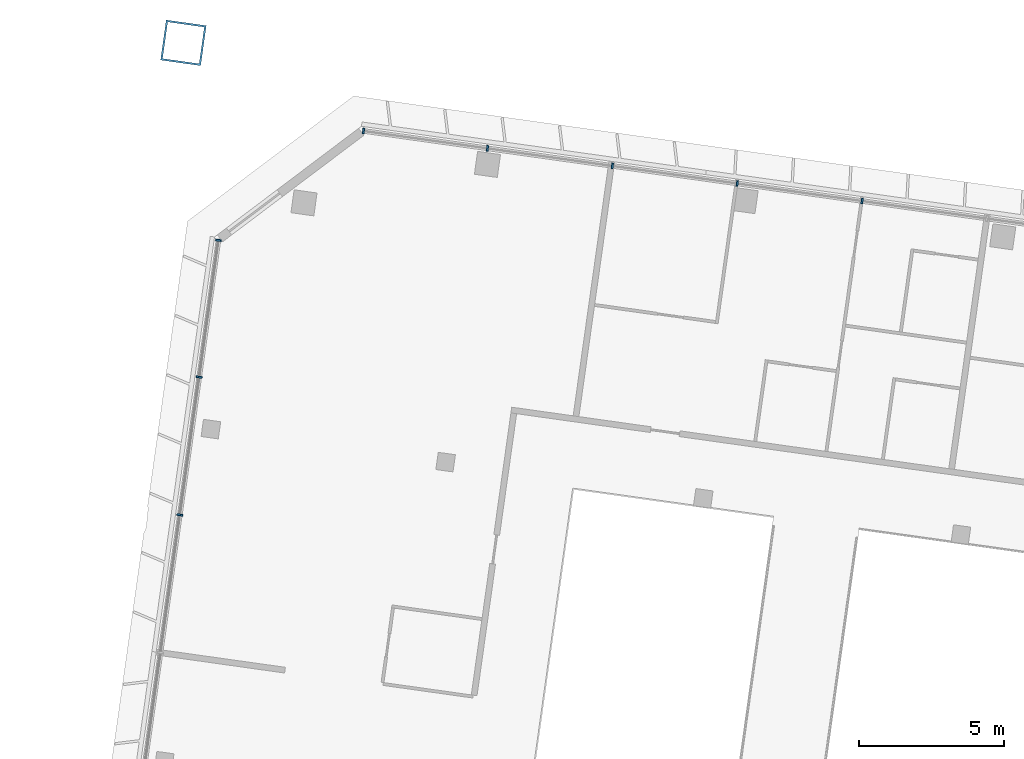
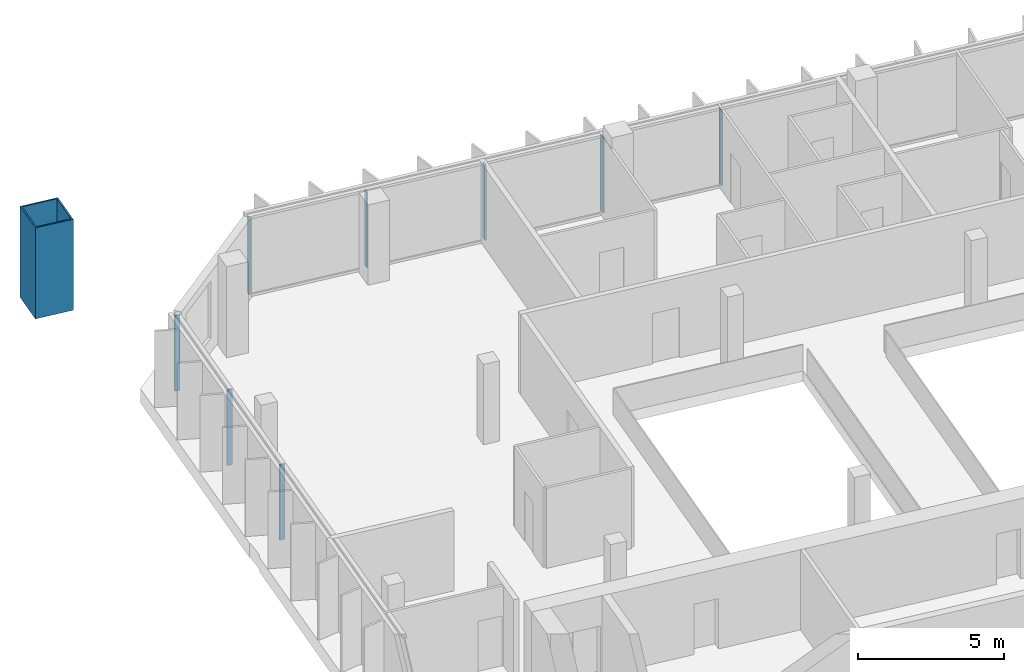
# One storey, part 4 of 26: 9 members, 2 elements without a shape of their own.
"""IFC4 building model written with IfcOpenShell, lengths in metres."""

from ifc_helpers import new_model, si_unit, direction, frame, origin, origin_2d, place, context, subcontext, project, spatial, rectangle, hollow_rectangle, extrude, material, material_profile, profile_set, type_object, element, aggregate, save


model = new_model("IFC4")

# Units and contexts
model_context = context("Model", 3, precision=1e-05, world=origin(), true_north=direction((0.0, 1.0)))
body_context = subcontext(model_context, "Body", "Model", "MODEL_VIEW")
ifc_project = project(units=[si_unit("LENGTHUNIT", "METRE"), si_unit("AREAUNIT", "SQUARE_METRE"), si_unit("VOLUMEUNIT", "CUBIC_METRE"), si_unit("PLANEANGLEUNIT", "RADIAN"), si_unit("MASSUNIT", "GRAM", prefix="KILO")], contexts=[model_context])

# Site, building, storey
site_placement = place(None, origin())
site = spatial("IfcSite", under=ifc_project, at=site_placement, CompositionType="ELEMENT")
building_placement = place(site_placement, origin())
building = spatial("IfcBuilding", under=site, at=building_placement, Name="Mirante Cascada Hotel Towers", CompositionType="ELEMENT")
storey_placement = place(building_placement, frame((0.0, 0.0, 203.0)))
storey = spatial("IfcBuildingStorey", under=building, at=storey_placement, Name="L48", CompositionType="ELEMENT", Elevation=203.0)

# Member
ifc_material_1 = material(Name="Steel ASTM A572 Gr 50", Category="steel")
ifc_material_profile_1 = material_profile(ifc_material_1, hollow_rectangle(XDim=1.4, YDim=1.4, WallThickness=0.06, at=origin_2d()), Name="Box post 1400x1400x60 ASTM A572 Gr 50")
ifc_profile_set_1 = profile_set([ifc_material_profile_1], Name="Steel ASTM A572 Gr 50")
member_type_1 = type_object("IfcMemberType", Name="Box post 1400x1400x60 ASTM A572 Gr 50", PredefinedType="POST", material=ifc_profile_set_1)
member_1_placement = place(storey_placement, frame((-82.5324, 26.5893, 0.0), z_axis=(0.0, 0.0, 1.0), x_axis=(-0.9902681, 0.1391731, 0.0)))
element("IfcMember", 1, at=member_1_placement, inside=storey, type_object=member_type_1, Name="Mega column MP3 T1 L48", PredefinedType="POST", context=body_context, shape_type="SweptSolid", body=[
    extrude(hollow_rectangle(XDim=1.4, YDim=1.4, WallThickness=0.06, at=origin_2d()), origin(), (0.0, 0.0, 1.0), 3.8),
])

# Curtain wall, members
ifc_material_2 = material(Name="Aluminium mullion and transom frame with clear laminated glass", Category="aluminium")
curtain_wall_type_1 = type_object("IfcCurtainWallType", Name="Ribbon curtain wall ECW1", PredefinedType="NOTDEFINED", material=ifc_material_2)
curtain_wall_1_placement = place(storey_placement, origin())
curtain_wall_1 = element("IfcCurtainWall", 2, at=curtain_wall_1_placement, inside=storey, type_object=curtain_wall_type_1, Name="Front ribbon wall T1 L48", PredefinedType="NOTDEFINED")
ifc_material_3 = material(Name="Anodised aluminium extrusion", Category="aluminium")
ifc_material_profile_2 = material_profile(ifc_material_3, rectangle(XDim=0.2, YDim=0.065, at=origin_2d()), Name="ECW1 MULLION 65x200")
ifc_profile_set_2 = profile_set([ifc_material_profile_2], Name="Anodised aluminium extrusion")
member_type_2 = type_object("IfcMemberType", Name="ECW1 mullion 65x200", PredefinedType="MULLION", material=ifc_profile_set_2)
member_2_placement = place(storey_placement, frame((-76.3011, 23.5425, 0.1), z_axis=(0.0, 0.0, 1.0), x_axis=(0.1391731, 0.9902681, 0.0)))
member_2 = element("IfcMember", 3, at=member_2_placement, type_object=member_type_2, Name="ECW1 mullion 1", PredefinedType="MULLION", context=body_context, shape_type="SweptSolid", body=[
    extrude(rectangle(XDim=0.2, YDim=0.065, at=origin_2d()), origin(), (0.0, 0.0, 1.0), 3.15),
])
member_3_placement = place(storey_placement, frame((-72.014, 22.9399, 0.1), z_axis=(0.0, 0.0, 1.0), x_axis=(0.1391731, 0.9902681, 0.0)))
member_3 = element("IfcMember", 4, at=member_3_placement, type_object=member_type_2, Name="ECW1 mullion 2", PredefinedType="MULLION", context=body_context, shape_type="SweptSolid", body=[
    extrude(rectangle(XDim=0.2, YDim=0.065, at=origin_2d()), origin(), (0.0, 0.0, 1.0), 3.15),
])
member_4_placement = place(storey_placement, frame((-67.6946, 22.3329, 0.1), z_axis=(0.0, 0.0, 1.0), x_axis=(0.1391731, 0.9902681, 0.0)))
member_4 = element("IfcMember", 5, at=member_4_placement, type_object=member_type_2, Name="ECW1 mullion 3", PredefinedType="MULLION", context=body_context, shape_type="SweptSolid", body=[
    extrude(rectangle(XDim=0.2, YDim=0.065, at=origin_2d()), origin(), (0.0, 0.0, 1.0), 3.15),
])
member_5_placement = place(storey_placement, frame((-63.3752, 21.7258, 0.1), z_axis=(0.0, 0.0, 1.0), x_axis=(0.1391731, 0.9902681, 0.0)))
member_5 = element("IfcMember", 6, at=member_5_placement, type_object=member_type_2, Name="ECW1 mullion 4", PredefinedType="MULLION", context=body_context, shape_type="SweptSolid", body=[
    extrude(rectangle(XDim=0.2, YDim=0.065, at=origin_2d()), origin(), (0.0, 0.0, 1.0), 3.15),
])
member_6_placement = place(storey_placement, frame((-59.0558, 21.1188, 0.1), z_axis=(0.0, 0.0, 1.0), x_axis=(0.1391731, 0.9902681, 0.0)))
member_6 = element("IfcMember", 7, at=member_6_placement, type_object=member_type_2, Name="ECW1 mullion 5", PredefinedType="MULLION", context=body_context, shape_type="SweptSolid", body=[
    extrude(rectangle(XDim=0.2, YDim=0.065, at=origin_2d()), origin(), (0.0, 0.0, 1.0), 3.15),
])
aggregate(curtain_wall_1, [member_2, member_3, member_4, member_5, member_6])

ifc_material_4 = material(Name="Aluminium mullion and transom frame with clear laminated glass", Category="aluminium")
curtain_wall_type_2 = type_object("IfcCurtainWallType", Name="End ribbon curtain wall ECW2", PredefinedType="NOTDEFINED", material=ifc_material_4)
curtain_wall_2_placement = place(storey_placement, origin())
curtain_wall_2 = element("IfcCurtainWall", 8, at=curtain_wall_2_placement, inside=storey, type_object=curtain_wall_type_2, Name="Outer end wall T1 L48", PredefinedType="NOTDEFINED")
ifc_material_5 = material(Name="Anodised aluminium extrusion", Category="aluminium")
ifc_material_profile_3 = material_profile(ifc_material_5, rectangle(XDim=0.2, YDim=0.065, at=origin_2d()), Name="ECW2 MULLION 65x200")
ifc_profile_set_3 = profile_set([ifc_material_profile_3], Name="Anodised aluminium extrusion")
member_type_3 = type_object("IfcMemberType", Name="ECW2 mullion 65x200", PredefinedType="MULLION", material=ifc_profile_set_3)
member_7_placement = place(storey_placement, frame((-82.6561, 10.2603, 0.1), z_axis=(0.0, 0.0, 1.0), x_axis=(-0.9902681, 0.1391731, 0.0)))
member_7 = element("IfcMember", 9, at=member_7_placement, type_object=member_type_3, Name="ECW2 mullion 5", PredefinedType="MULLION", context=body_context, shape_type="SweptSolid", body=[
    extrude(rectangle(XDim=0.2, YDim=0.065, at=origin_2d()), origin(), (0.0, 0.0, 1.0), 3.15),
])
member_8_placement = place(storey_placement, frame((-81.9864, 15.026, 0.1), z_axis=(0.0, 0.0, 1.0), x_axis=(-0.9902681, 0.1391731, 0.0)))
member_8 = element("IfcMember", 10, at=member_8_placement, type_object=member_type_3, Name="ECW2 mullion 6", PredefinedType="MULLION", context=body_context, shape_type="SweptSolid", body=[
    extrude(rectangle(XDim=0.2, YDim=0.065, at=origin_2d()), origin(), (0.0, 0.0, 1.0), 3.15),
])
member_9_placement = place(storey_placement, frame((-81.3211, 19.7596, 0.1), z_axis=(0.0, 0.0, 1.0), x_axis=(-0.9902681, 0.1391731, 0.0)))
member_9 = element("IfcMember", 11, at=member_9_placement, type_object=member_type_3, Name="ECW2 mullion 7", PredefinedType="MULLION", context=body_context, shape_type="SweptSolid", body=[
    extrude(rectangle(XDim=0.2, YDim=0.065, at=origin_2d()), origin(), (0.0, 0.0, 1.0), 3.15),
])
aggregate(curtain_wall_2, [member_7, member_8, member_9])

save(model, "model.ifc")
